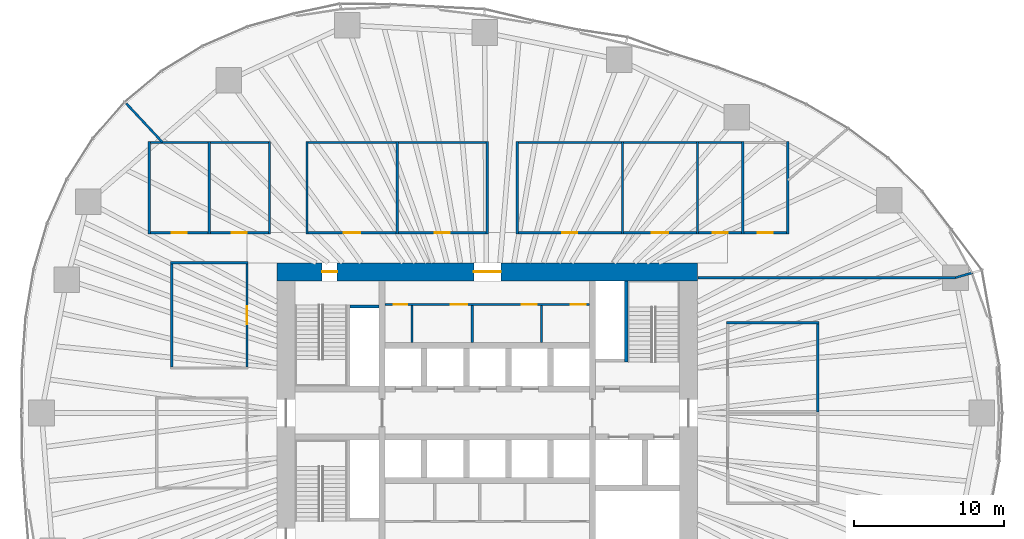
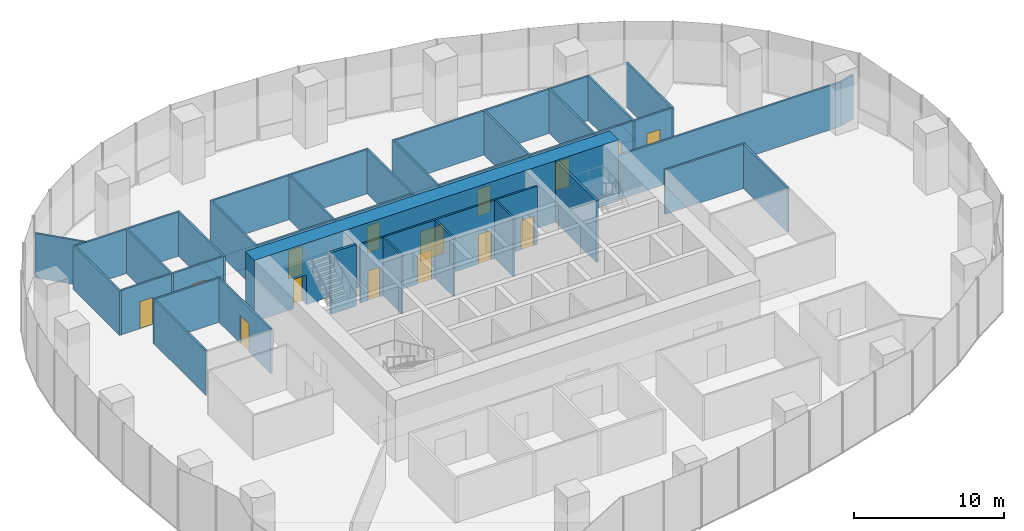
# One storey, part 11 of 19: 41 walls, 15 doors, 15 openings.
"""IFC4 building model written with IfcOpenShell, lengths in metres."""

from ifc_helpers import new_model, si_unit, direction, frame, frame_2d, origin, place, context, subcontext, project, spatial, rectangle, extrude, material, layer, layer_set, type_object, element, fill, save


model = new_model("IFC4")

# Units and contexts
model_context = context("Model", 3, precision=1e-05, world=origin(), true_north=direction((0.0, 1.0)))
body_context = subcontext(model_context, "Body", "Model", "MODEL_VIEW")
ifc_project = project(units=[si_unit("LENGTHUNIT", "METRE"), si_unit("AREAUNIT", "SQUARE_METRE"), si_unit("VOLUMEUNIT", "CUBIC_METRE"), si_unit("PLANEANGLEUNIT", "RADIAN"), si_unit("MASSUNIT", "GRAM", prefix="KILO")], contexts=[model_context])

# Site, building, storey
site_placement = place(None, origin())
site = spatial("IfcSite", under=ifc_project, at=site_placement, CompositionType="ELEMENT")
building_placement = place(site_placement, origin())
building = spatial("IfcBuilding", under=site, at=building_placement, Name="Ghaith Harvest Tower", CompositionType="ELEMENT")
storey_placement = place(building_placement, frame((0.0, 0.0, 70.0)))
storey = spatial("IfcBuildingStorey", under=building, at=storey_placement, Name="L14", CompositionType="ELEMENT", Elevation=70.0)

# Wall, openings, doors
ifc_material_1 = material(Name="Concrete blockwork, fair-faced", Category="masonry")
ifc_layer_1 = layer(ifc_material_1, 0.139892578125)
ifc_layer_set_1 = layer_set([ifc_layer_1], Name="CORE PARTITION 140")
wall_type_1 = type_object("IfcWallType", Name="CORE PARTITION 140", PredefinedType="PARTITIONING", material=ifc_layer_set_1)
wall_1_placement = place(storey_placement, frame((-6.800048828125, 7.22998046875, 0.0), z_axis=(0.0, 0.0, 1.0), x_axis=(1.0, 0.0, 0.0)))
wall_1 = element("IfcWall", 1, at=wall_1_placement, inside=storey, type_object=wall_type_1, Name="Core partition L14", PredefinedType="PARTITIONING", context=body_context, shape_type="SweptSolid", body=[
    extrude(rectangle(XDim=13.60009765625, YDim=0.139892578125, at=frame_2d((6.800048828125, 0.0))), origin(), (0.0, 0.0, 1.0), 4.75),
])
opening_1_placement = place(wall_1_placement, frame((0.580078125, 0.0, 0.0)))
opening_1 = element("IfcOpeningElement", 2, at=opening_1_placement, cuts=wall_1, Name="Opening 14-008", PredefinedType="OPENING", context=body_context, shape_type="SweptSolid", body=[
    extrude(rectangle(XDim=0.89990234375, YDim=2.39990234375, at=frame_2d((0.449951171875, 1.199951171875))), frame((0.0, 0.080078125, 0.0), z_axis=(0.0, -1.0, 0.0), x_axis=(1.0, 0.0, 0.0)), (0.0, 0.0, 1.0), 0.159912109375),
])
opening_2_placement = place(wall_1_placement, frame((4.3798828125, 0.0, 0.0)))
opening_2 = element("IfcOpeningElement", 3, at=opening_2_placement, cuts=wall_1, Name="Opening 14-009", PredefinedType="OPENING", context=body_context, shape_type="SweptSolid", body=[
    extrude(rectangle(XDim=1.10009765625, YDim=2.39990234375, at=frame_2d((0.550048828125, 1.199951171875))), frame((0.0, 0.080078125, 0.0), z_axis=(0.0, -1.0, 0.0), x_axis=(1.0, 0.0, 0.0)), (0.0, 0.0, 1.0), 0.159912109375),
])
opening_3_placement = place(wall_1_placement, frame((9.080078125, 0.0, 0.0)))
opening_3 = element("IfcOpeningElement", 4, at=opening_3_placement, cuts=wall_1, Name="Opening 14-010", PredefinedType="OPENING", context=body_context, shape_type="SweptSolid", body=[
    extrude(rectangle(XDim=1.0, YDim=2.39990234375, at=frame_2d((0.5, 1.199951171875))), frame((0.0, 0.080078125, 0.0), z_axis=(0.0, -1.0, 0.0), x_axis=(1.0, 0.0, 0.0)), (0.0, 0.0, 1.0), 0.159912109375),
])
opening_4_placement = place(wall_1_placement, frame((12.35009765625, 0.0, 0.0)))
opening_4 = element("IfcOpeningElement", 5, at=opening_4_placement, cuts=wall_1, Name="Opening 14-011", PredefinedType="OPENING", context=body_context, shape_type="SweptSolid", body=[
    extrude(rectangle(XDim=1.0, YDim=2.39990234375, at=frame_2d((0.5, 1.199951171875))), frame((0.0, 0.080078125, 0.0), z_axis=(0.0, -1.0, 0.0), x_axis=(1.0, 0.0, 0.0)), (0.0, 0.0, 1.0), 0.159912109375),
])
ifc_material_2 = material(Name="Steel fire door", Category="steel")
door_type_1 = type_object("IfcDoorType", Name="D3 FD90 1000x2400", OperationType="SINGLE_SWING_LEFT", PredefinedType="DOOR", material=ifc_material_2)
door_1_placement = place(opening_3_placement, origin())
door_1 = element("IfcDoor", 6, at=door_1_placement, inside=storey, type_object=door_type_1, Name="Male WC door", OperationType="SINGLE_SWING_RIGHT", OverallHeight=2.39990234375, OverallWidth=1.0, PredefinedType="DOOR", context=body_context, shape_type="SweptSolid", body=[
    extrude(rectangle(XDim=1.0, YDim=2.39990234375, at=frame_2d((0.5, 1.199951171875))), frame((0.0, 0.02490234375, 0.0), z_axis=(0.0, -1.0, 0.0), x_axis=(1.0, 0.0, 0.0)), (0.0, 0.0, 1.0), 0.050048828125),
])
fill(opening_3, door_1)
door_2_placement = place(opening_4_placement, origin())
door_2 = element("IfcDoor", 7, at=door_2_placement, inside=storey, type_object=door_type_1, Name="Female WC door", OperationType="SINGLE_SWING_RIGHT", OverallHeight=2.39990234375, OverallWidth=1.0, PredefinedType="DOOR", context=body_context, shape_type="SweptSolid", body=[
    extrude(rectangle(XDim=1.0, YDim=2.39990234375, at=frame_2d((0.5, 1.199951171875))), frame((0.0, 0.02490234375, 0.0), z_axis=(0.0, -1.0, 0.0), x_axis=(1.0, 0.0, 0.0)), (0.0, 0.0, 1.0), 0.050048828125),
])
fill(opening_4, door_2)
ifc_material_3 = material(Name="Steel fire door", Category="steel")
door_type_2 = type_object("IfcDoorType", Name="D5 FD90 900x2400", OperationType="SINGLE_SWING_LEFT", PredefinedType="DOOR", material=ifc_material_3)
door_3_placement = place(opening_1_placement, origin())
door_3 = element("IfcDoor", 8, at=door_3_placement, inside=storey, type_object=door_type_2, Name="Cleaner's store door", OperationType="SINGLE_SWING_LEFT", OverallHeight=2.39990234375, OverallWidth=0.89990234375, PredefinedType="DOOR", context=body_context, shape_type="SweptSolid", body=[
    extrude(rectangle(XDim=0.89990234375, YDim=2.39990234375, at=frame_2d((0.449951171875, 1.199951171875))), frame((0.0, 0.02490234375, 0.0), z_axis=(0.0, -1.0, 0.0), x_axis=(1.0, 0.0, 0.0)), (0.0, 0.0, 1.0), 0.050048828125),
])
fill(opening_1, door_3)
ifc_material_4 = material(Name="Steel fire door", Category="steel")
door_type_3 = type_object("IfcDoorType", Name="D9 FD90 1100x2400", OperationType="SINGLE_SWING_LEFT", PredefinedType="DOOR", material=ifc_material_4)
door_4_placement = place(opening_2_placement, origin())
door_4 = element("IfcDoor", 9, at=door_4_placement, inside=storey, type_object=door_type_3, Name="Accessible WC door", OperationType="SINGLE_SWING_LEFT", OverallHeight=2.39990234375, OverallWidth=1.10009765625, PredefinedType="DOOR", context=body_context, shape_type="SweptSolid", body=[
    extrude(rectangle(XDim=1.10009765625, YDim=2.39990234375, at=frame_2d((0.550048828125, 1.199951171875))), frame((0.0, 0.02490234375, 0.0), z_axis=(0.0, -1.0, 0.0), x_axis=(1.0, 0.0, 0.0)), (0.0, 0.0, 1.0), 0.050048828125),
])
fill(opening_2, door_4)

# Walls
for number, where, z_axis, x_axis, name in (
    (10, (-5.0, 4.699951171875, 0.0), (0.0, 0.0, 1.0), (0.0, 1.0, 0.0), "Core partition L14"),
    (11, (-1.0, 4.699951171875, 0.0), (0.0, 0.0, 1.0), (0.0, 1.0, 0.0), "Core partition L14"),
    (12, (3.60009765625, 4.699951171875, 0.0), (0.0, 0.0, 1.0), (0.0, 1.0, 0.0), "Core partition L14"),
):
    element("IfcWall", number, at=place(storey_placement, frame(where, z_axis=z_axis, x_axis=x_axis)), inside=storey, type_object=wall_type_1, Name=name, PredefinedType="PARTITIONING", context=body_context, shape_type="SweptSolid", body=[
        extrude(rectangle(XDim=2.4599609375, YDim=0.139892578125, at=frame_2d((1.22998046875, 0.0))), origin(), (0.0, 0.0, 1.0), 4.75),
    ])

# Wall, openings, doors
ifc_material_5 = material(Name="Concrete C70/85", Category="concrete")
ifc_layer_2 = layer(ifc_material_5, 1.199951171875)
ifc_layer_set_2 = layer_set([ifc_layer_2], Name="CORE WALL CW1200")
wall_type_2 = type_object("IfcWallType", Name="CORE WALL CW1200", PredefinedType="SHEAR", material=ifc_layer_set_2)
wall_2_placement = place(storey_placement, frame((14.0, 9.39990234375, 0.0), z_axis=(0.0, 0.0, 1.0), x_axis=(-1.0, 0.0, 0.0)))
wall_2 = element("IfcWall", 13, at=wall_2_placement, inside=storey, type_object=wall_type_2, Name="Core wall N L14", PredefinedType="SHEAR", context=body_context, shape_type="SweptSolid", body=[
    extrude(rectangle(XDim=28.0, YDim=1.199951171875, at=frame_2d((14.0, 0.0))), origin(), (0.0, 0.0, 1.0), 5.0),
])
opening_5_placement = place(wall_2_placement, frame((24.0, 0.0, 0.0)))
opening_5 = element("IfcOpeningElement", 14, at=opening_5_placement, cuts=wall_2, Name="Opening 14-005", PredefinedType="OPENING", context=body_context, shape_type="SweptSolid", body=[
    extrude(rectangle(XDim=1.0, YDim=2.39990234375, at=frame_2d((0.5, 1.199951171875))), frame((0.0, 0.60986328125, 0.0), z_axis=(0.0, -1.0, 0.0), x_axis=(1.0, 0.0, 0.0)), (0.0, 0.0, 1.0), 1.219970703125),
])
opening_6_placement = place(wall_2_placement, frame((13.10009765625, 0.0, 0.0)))
opening_6 = element("IfcOpeningElement", 15, at=opening_6_placement, cuts=wall_2, Name="Opening 14-016", PredefinedType="OPENING", context=body_context, shape_type="SweptSolid", body=[
    extrude(rectangle(XDim=1.800048828125, YDim=2.39990234375, at=frame_2d((0.89990234375, 1.199951171875))), frame((0.0, 0.60986328125, 0.0), z_axis=(0.0, -1.0, 0.0), x_axis=(1.0, 0.0, 0.0)), (0.0, 0.0, 1.0), 1.219970703125),
])
door_5_placement = place(opening_5_placement, origin())
door_5 = element("IfcDoor", 16, at=door_5_placement, inside=storey, type_object=door_type_1, Name="Stair ST1 door", OperationType="SINGLE_SWING_RIGHT", OverallHeight=2.39990234375, OverallWidth=1.0, PredefinedType="DOOR", context=body_context, shape_type="SweptSolid", body=[
    extrude(rectangle(XDim=1.0, YDim=2.39990234375, at=frame_2d((0.5, 1.199951171875))), frame((0.0, 0.02490234375, 0.0), z_axis=(0.0, -1.0, 0.0), x_axis=(1.0, 0.0, 0.0)), (0.0, 0.0, 1.0), 0.050048828125),
])
fill(opening_5, door_5)
ifc_material_6 = material(Name="Steel fire door", Category="steel")
door_type_4 = type_object("IfcDoorType", Name="D4 FD90 PAIR 1800x2400", OperationType="DOUBLE_DOOR_SINGLE_SWING", PredefinedType="DOOR", material=ifc_material_6)
door_6_placement = place(opening_6_placement, origin())
door_6 = element("IfcDoor", 17, at=door_6_placement, inside=storey, type_object=door_type_4, Name="Core service corridor doors", OperationType="DOUBLE_DOOR_SINGLE_SWING", OverallHeight=2.39990234375, OverallWidth=1.800048828125, PredefinedType="DOOR", context=body_context, shape_type="SweptSolid", body=[
    extrude(rectangle(XDim=1.800048828125, YDim=2.39990234375, at=frame_2d((0.89990234375, 1.199951171875))), frame((0.0, 0.02490234375, 0.0), z_axis=(0.0, -1.0, 0.0), x_axis=(1.0, 0.0, 0.0)), (0.0, 0.0, 1.0), 0.050048828125),
])
fill(opening_6, door_6)

# Walls
ifc_material_7 = material(Name="Gypsum board on steel studs", Category="steel")
ifc_layer_3 = layer(ifc_material_7, 0.14990234375)
ifc_layer_set_3 = layer_set([ifc_layer_3], Name="PARTITION 150")
wall_type_3 = type_object("IfcWallType", Name="PARTITION 150", PredefinedType="PARTITIONING", material=ifc_layer_set_3)
for number, where, z_axis, x_axis, name in (
    (18, (-12.0, 11.925048828125, 0.0), (0.0, 0.0, 1.0), (0.0, 1.0, 0.0), "Partition L14 row N1 cross wall 1"),
    (19, (-6.0, 11.925048828125, 0.0), (0.0, 0.0, 1.0), (0.0, 1.0, 0.0), "Partition L14 row N1 cross wall 2"),
    (20, (0.0, 11.925048828125, 0.0), (0.0, 0.0, 1.0), (0.0, 1.0, 0.0), "Partition L14 row N1 cross wall 3"),
):
    element("IfcWall", number, at=place(storey_placement, frame(where, z_axis=z_axis, x_axis=x_axis)), inside=storey, type_object=wall_type_3, Name=name, PredefinedType="PARTITIONING", context=body_context, shape_type="SweptSolid", body=[
        extrude(rectangle(XDim=6.14990234375, YDim=0.14990234375, at=frame_2d((3.074951171875, 0.0))), origin(), (0.0, 0.0, 1.0), 3.60009765625),
    ])

# Wall, opening, door
wall_3_placement = place(storey_placement, frame((-11.925048828125, 12.0, 0.0), z_axis=(0.0, 0.0, 1.0), x_axis=(1.0, 0.0, 0.0)))
wall_3 = element("IfcWall", 21, at=wall_3_placement, inside=storey, type_object=wall_type_3, Name="Partition L14-01", PredefinedType="PARTITIONING", context=body_context, shape_type="SweptSolid", body=[
    extrude(rectangle(XDim=5.85009765625, YDim=0.14990234375, at=frame_2d((2.925048828125, 0.0))), origin(), (0.0, 0.0, 1.0), 3.60009765625),
])
opening_7_placement = place(wall_3_placement, frame((2.375, 0.0, 0.0)))
opening_7 = element("IfcOpeningElement", 22, at=opening_7_placement, cuts=wall_3, Name="Opening 14-025", PredefinedType="OPENING", context=body_context, shape_type="SweptSolid", body=[
    extrude(rectangle(XDim=1.10009765625, YDim=2.300048828125, at=frame_2d((0.550048828125, 1.14990234375))), frame((0.0, 0.0849609375, 0.0), z_axis=(0.0, -1.0, 0.0), x_axis=(1.0, 0.0, 0.0)), (0.0, 0.0, 1.0), 0.169921875),
])
ifc_material_8 = material(Name="Timber-framed glazed door", Category="wood")
door_type_5 = type_object("IfcDoorType", Name="D12 GLAZED OFFICE 1100x2300", OperationType="SINGLE_SWING_LEFT", PredefinedType="DOOR", material=ifc_material_8)
door_7_placement = place(opening_7_placement, origin())
door_7 = element("IfcDoor", 23, at=door_7_placement, inside=storey, type_object=door_type_5, Name="Crop office door", OperationType="SINGLE_SWING_LEFT", OverallHeight=2.300048828125, OverallWidth=1.10009765625, PredefinedType="DOOR", context=body_context, shape_type="SweptSolid", body=[
    extrude(rectangle(XDim=1.10009765625, YDim=2.300048828125, at=frame_2d((0.550048828125, 1.14990234375))), frame((0.0, 0.02490234375, 0.0), z_axis=(0.0, -1.0, 0.0), x_axis=(1.0, 0.0, 0.0)), (0.0, 0.0, 1.0), 0.050048828125),
])
fill(opening_7, door_7)

# Wall
wall_4_placement = place(storey_placement, frame((-11.925048828125, 18.0, 0.0), z_axis=(0.0, 0.0, 1.0), x_axis=(1.0, 0.0, 0.0)))
element("IfcWall", 24, at=wall_4_placement, inside=storey, type_object=wall_type_3, Name="Partition L14-01", PredefinedType="PARTITIONING", context=body_context, shape_type="SweptSolid", body=[
    extrude(rectangle(XDim=5.85009765625, YDim=0.14990234375, at=frame_2d((2.925048828125, 0.0))), origin(), (0.0, 0.0, 1.0), 3.60009765625),
])

# Wall, opening, door
wall_5_placement = place(storey_placement, frame((-5.925048828125, 12.0, 0.0), z_axis=(0.0, 0.0, 1.0), x_axis=(1.0, 0.0, 0.0)))
wall_5 = element("IfcWall", 25, at=wall_5_placement, inside=storey, type_object=wall_type_3, Name="Partition L14-02", PredefinedType="PARTITIONING", context=body_context, shape_type="SweptSolid", body=[
    extrude(rectangle(XDim=5.85009765625, YDim=0.14990234375, at=frame_2d((2.925048828125, 0.0))), origin(), (0.0, 0.0, 1.0), 3.60009765625),
])
opening_8_placement = place(wall_5_placement, frame((2.425048828125, 0.0, 0.0)))
opening_8 = element("IfcOpeningElement", 26, at=opening_8_placement, cuts=wall_5, Name="Opening 14-026", PredefinedType="OPENING", context=body_context, shape_type="SweptSolid", body=[
    extrude(rectangle(XDim=1.0, YDim=2.199951171875, at=frame_2d((0.5, 1.10009765625))), frame((0.0, 0.0849609375, 0.0), z_axis=(0.0, -1.0, 0.0), x_axis=(1.0, 0.0, 0.0)), (0.0, 0.0, 1.0), 0.169921875),
])
ifc_material_9 = material(Name="Timber door", Category="wood")
door_type_6 = type_object("IfcDoorType", Name="D1 SINGLE 1000x2200", OperationType="SINGLE_SWING_LEFT", PredefinedType="DOOR", material=ifc_material_9)
door_8_placement = place(opening_8_placement, origin())
door_8 = element("IfcDoor", 27, at=door_8_placement, inside=storey, type_object=door_type_6, Name="Pollination room door", OperationType="SINGLE_SWING_LEFT", OverallHeight=2.199951171875, OverallWidth=1.0, PredefinedType="DOOR", context=body_context, shape_type="SweptSolid", body=[
    extrude(rectangle(XDim=1.0, YDim=2.199951171875, at=frame_2d((0.5, 1.10009765625))), frame((0.0, 0.02490234375, 0.0), z_axis=(0.0, -1.0, 0.0), x_axis=(1.0, 0.0, 0.0)), (0.0, 0.0, 1.0), 0.050048828125),
])
fill(opening_8, door_8)

# Walls
wall_6_placement = place(storey_placement, frame((-5.925048828125, 18.0, 0.0), z_axis=(0.0, 0.0, 1.0), x_axis=(1.0, 0.0, 0.0)))
element("IfcWall", 28, at=wall_6_placement, inside=storey, type_object=wall_type_3, Name="Partition L14-02", PredefinedType="PARTITIONING", context=body_context, shape_type="SweptSolid", body=[
    extrude(rectangle(XDim=5.85009765625, YDim=0.14990234375, at=frame_2d((2.925048828125, 0.0))), origin(), (0.0, 0.0, 1.0), 3.60009765625),
])
wall_7_placement = place(storey_placement, frame((15.925048828125, 6.0, 0.0), z_axis=(0.0, 0.0, 1.0), x_axis=(1.0, 0.0, 0.0)))
element("IfcWall", 29, at=wall_7_placement, inside=storey, type_object=wall_type_3, Name="Partition L14 row E5 cross wall 3", PredefinedType="PARTITIONING", context=body_context, shape_type="SweptSolid", body=[
    extrude(rectangle(XDim=6.14990234375, YDim=0.14990234375, at=frame_2d((3.074951171875, 0.0))), origin(), (0.0, 0.0, 1.0), 3.60009765625),
])
wall_8_placement = place(storey_placement, frame((22.0, 0.074951171875, 0.0), z_axis=(0.0, 0.0, 1.0), x_axis=(0.0, 1.0, 0.0)))
element("IfcWall", 30, at=wall_8_placement, inside=storey, type_object=wall_type_3, Name="Partition L14-09", PredefinedType="PARTITIONING", context=body_context, shape_type="SweptSolid", body=[
    extrude(rectangle(XDim=5.85009765625, YDim=0.14990234375, at=frame_2d((2.925048828125, 0.0))), origin(), (0.0, 0.0, 1.0), 3.60009765625),
])
for number, where, z_axis, x_axis, name in (
    (31, (2.0, 11.925048828125, 0.0), (0.0, 0.0, 1.0), (0.0, 1.0, 0.0), "Partition L14 row N6 cross wall 1"),
    (32, (9.0, 11.925048828125, 0.0), (0.0, 0.0, 1.0), (0.0, 1.0, 0.0), "Partition L14 row N6 cross wall 2"),
    (33, (14.0, 11.925048828125, 0.0), (0.0, 0.0, 1.0), (0.0, 1.0, 0.0), "Partition L14 row N6 cross wall 3"),
    (34, (17.0, 11.925048828125, 0.0), (0.0, 0.0, 1.0), (0.0, 1.0, 0.0), "Partition L14 row N6 cross wall 4"),
    (35, (20.0, 11.925048828125, 0.0), (0.0, 0.0, 1.0), (0.0, 1.0, 0.0), "Partition L14 row N6 cross wall 5"),
):
    element("IfcWall", number, at=place(storey_placement, frame(where, z_axis=z_axis, x_axis=x_axis)), inside=storey, type_object=wall_type_3, Name=name, PredefinedType="PARTITIONING", context=body_context, shape_type="SweptSolid", body=[
        extrude(rectangle(XDim=6.14990234375, YDim=0.14990234375, at=frame_2d((3.074951171875, 0.0))), origin(), (0.0, 0.0, 1.0), 3.60009765625),
    ])

# Wall, opening, door
wall_9_placement = place(storey_placement, frame((2.074951171875, 12.0, 0.0), z_axis=(0.0, 0.0, 1.0), x_axis=(1.0, 0.0, 0.0)))
wall_9 = element("IfcWall", 36, at=wall_9_placement, inside=storey, type_object=wall_type_3, Name="Partition L14-10", PredefinedType="PARTITIONING", context=body_context, shape_type="SweptSolid", body=[
    extrude(rectangle(XDim=6.85009765625, YDim=0.14990234375, at=frame_2d((3.425048828125, 0.0))), origin(), (0.0, 0.0, 1.0), 3.60009765625),
])
opening_9_placement = place(wall_9_placement, frame((2.925048828125, 0.0, 0.0)))
opening_9 = element("IfcOpeningElement", 37, at=opening_9_placement, cuts=wall_9, Name="Opening 14-034", PredefinedType="OPENING", context=body_context, shape_type="SweptSolid", body=[
    extrude(rectangle(XDim=1.0, YDim=2.199951171875, at=frame_2d((0.5, 1.10009765625))), frame((0.0, 0.0849609375, 0.0), z_axis=(0.0, -1.0, 0.0), x_axis=(1.0, 0.0, 0.0)), (0.0, 0.0, 1.0), 0.169921875),
])
door_9_placement = place(opening_9_placement, origin())
door_9 = element("IfcDoor", 38, at=door_9_placement, inside=storey, type_object=door_type_6, Name="Seedling room door", OperationType="SINGLE_SWING_LEFT", OverallHeight=2.199951171875, OverallWidth=1.0, PredefinedType="DOOR", context=body_context, shape_type="SweptSolid", body=[
    extrude(rectangle(XDim=1.0, YDim=2.199951171875, at=frame_2d((0.5, 1.10009765625))), frame((0.0, 0.02490234375, 0.0), z_axis=(0.0, -1.0, 0.0), x_axis=(1.0, 0.0, 0.0)), (0.0, 0.0, 1.0), 0.050048828125),
])
fill(opening_9, door_9)

# Wall
wall_10_placement = place(storey_placement, frame((2.074951171875, 18.0, 0.0), z_axis=(0.0, 0.0, 1.0), x_axis=(1.0, 0.0, 0.0)))
element("IfcWall", 39, at=wall_10_placement, inside=storey, type_object=wall_type_3, Name="Partition L14-10", PredefinedType="PARTITIONING", context=body_context, shape_type="SweptSolid", body=[
    extrude(rectangle(XDim=6.85009765625, YDim=0.14990234375, at=frame_2d((3.425048828125, 0.0))), origin(), (0.0, 0.0, 1.0), 3.60009765625),
])

# Wall, opening, door
wall_11_placement = place(storey_placement, frame((9.074951171875, 12.0, 0.0), z_axis=(0.0, 0.0, 1.0), x_axis=(1.0, 0.0, 0.0)))
wall_11 = element("IfcWall", 40, at=wall_11_placement, inside=storey, type_object=wall_type_3, Name="Partition L14-11", PredefinedType="PARTITIONING", context=body_context, shape_type="SweptSolid", body=[
    extrude(rectangle(XDim=4.85009765625, YDim=0.14990234375, at=frame_2d((2.425048828125, 0.0))), origin(), (0.0, 0.0, 1.0), 3.60009765625),
])
opening_10_placement = place(wall_11_placement, frame((1.875, 0.0, 0.0)))
opening_10 = element("IfcOpeningElement", 41, at=opening_10_placement, cuts=wall_11, Name="Opening 14-035", PredefinedType="OPENING", context=body_context, shape_type="SweptSolid", body=[
    extrude(rectangle(XDim=1.10009765625, YDim=2.300048828125, at=frame_2d((0.550048828125, 1.14990234375))), frame((0.0, 0.0849609375, 0.0), z_axis=(0.0, -1.0, 0.0), x_axis=(1.0, 0.0, 0.0)), (0.0, 0.0, 1.0), 0.169921875),
])
door_10_placement = place(opening_10_placement, origin())
door_10 = element("IfcDoor", 42, at=door_10_placement, inside=storey, type_object=door_type_5, Name="Growing office door", OperationType="SINGLE_SWING_LEFT", OverallHeight=2.300048828125, OverallWidth=1.10009765625, PredefinedType="DOOR", context=body_context, shape_type="SweptSolid", body=[
    extrude(rectangle(XDim=1.10009765625, YDim=2.300048828125, at=frame_2d((0.550048828125, 1.14990234375))), frame((0.0, 0.02490234375, 0.0), z_axis=(0.0, -1.0, 0.0), x_axis=(1.0, 0.0, 0.0)), (0.0, 0.0, 1.0), 0.050048828125),
])
fill(opening_10, door_10)

# Wall
wall_12_placement = place(storey_placement, frame((9.074951171875, 18.0, 0.0), z_axis=(0.0, 0.0, 1.0), x_axis=(1.0, 0.0, 0.0)))
element("IfcWall", 43, at=wall_12_placement, inside=storey, type_object=wall_type_3, Name="Partition L14-11", PredefinedType="PARTITIONING", context=body_context, shape_type="SweptSolid", body=[
    extrude(rectangle(XDim=4.85009765625, YDim=0.14990234375, at=frame_2d((2.425048828125, 0.0))), origin(), (0.0, 0.0, 1.0), 3.60009765625),
])

# Wall, opening, door
wall_13_placement = place(storey_placement, frame((14.074951171875, 12.0, 0.0), z_axis=(0.0, 0.0, 1.0), x_axis=(1.0, 0.0, 0.0)))
wall_13 = element("IfcWall", 44, at=wall_13_placement, inside=storey, type_object=wall_type_3, Name="Partition L14-12", PredefinedType="PARTITIONING", context=body_context, shape_type="SweptSolid", body=[
    extrude(rectangle(XDim=2.85009765625, YDim=0.14990234375, at=frame_2d((1.425048828125, 0.0))), origin(), (0.0, 0.0, 1.0), 3.60009765625),
])
opening_11_placement = place(wall_13_placement, frame((0.925048828125, 0.0, 0.0)))
opening_11 = element("IfcOpeningElement", 45, at=opening_11_placement, cuts=wall_13, Name="Opening 14-036", PredefinedType="OPENING", context=body_context, shape_type="SweptSolid", body=[
    extrude(rectangle(XDim=1.0, YDim=2.199951171875, at=frame_2d((0.5, 1.10009765625))), frame((0.0, 0.0849609375, 0.0), z_axis=(0.0, -1.0, 0.0), x_axis=(1.0, 0.0, 0.0)), (0.0, 0.0, 1.0), 0.169921875),
])
door_11_placement = place(opening_11_placement, origin())
door_11 = element("IfcDoor", 46, at=door_11_placement, inside=storey, type_object=door_type_6, Name="Male staff changing room door", OperationType="SINGLE_SWING_LEFT", OverallHeight=2.199951171875, OverallWidth=1.0, PredefinedType="DOOR", context=body_context, shape_type="SweptSolid", body=[
    extrude(rectangle(XDim=1.0, YDim=2.199951171875, at=frame_2d((0.5, 1.10009765625))), frame((0.0, 0.02490234375, 0.0), z_axis=(0.0, -1.0, 0.0), x_axis=(1.0, 0.0, 0.0)), (0.0, 0.0, 1.0), 0.050048828125),
])
fill(opening_11, door_11)

# Wall
wall_14_placement = place(storey_placement, frame((14.074951171875, 18.0, 0.0), z_axis=(0.0, 0.0, 1.0), x_axis=(1.0, 0.0, 0.0)))
element("IfcWall", 47, at=wall_14_placement, inside=storey, type_object=wall_type_3, Name="Partition L14-12", PredefinedType="PARTITIONING", context=body_context, shape_type="SweptSolid", body=[
    extrude(rectangle(XDim=2.85009765625, YDim=0.14990234375, at=frame_2d((1.425048828125, 0.0))), origin(), (0.0, 0.0, 1.0), 3.60009765625),
])

# Wall, opening, door
wall_15_placement = place(storey_placement, frame((17.074951171875, 12.0, 0.0), z_axis=(0.0, 0.0, 1.0), x_axis=(1.0, 0.0, 0.0)))
wall_15 = element("IfcWall", 48, at=wall_15_placement, inside=storey, type_object=wall_type_3, Name="Partition L14-13", PredefinedType="PARTITIONING", context=body_context, shape_type="SweptSolid", body=[
    extrude(rectangle(XDim=2.85009765625, YDim=0.14990234375, at=frame_2d((1.425048828125, 0.0))), origin(), (0.0, 0.0, 1.0), 3.60009765625),
])
opening_12_placement = place(wall_15_placement, frame((0.925048828125, 0.0, 0.0)))
opening_12 = element("IfcOpeningElement", 49, at=opening_12_placement, cuts=wall_15, Name="Opening 14-037", PredefinedType="OPENING", context=body_context, shape_type="SweptSolid", body=[
    extrude(rectangle(XDim=1.0, YDim=2.199951171875, at=frame_2d((0.5, 1.10009765625))), frame((0.0, 0.0849609375, 0.0), z_axis=(0.0, -1.0, 0.0), x_axis=(1.0, 0.0, 0.0)), (0.0, 0.0, 1.0), 0.169921875),
])
door_12_placement = place(opening_12_placement, origin())
door_12 = element("IfcDoor", 50, at=door_12_placement, inside=storey, type_object=door_type_6, Name="Female staff changing room door", OperationType="SINGLE_SWING_LEFT", OverallHeight=2.199951171875, OverallWidth=1.0, PredefinedType="DOOR", context=body_context, shape_type="SweptSolid", body=[
    extrude(rectangle(XDim=1.0, YDim=2.199951171875, at=frame_2d((0.5, 1.10009765625))), frame((0.0, 0.02490234375, 0.0), z_axis=(0.0, -1.0, 0.0), x_axis=(1.0, 0.0, 0.0)), (0.0, 0.0, 1.0), 0.050048828125),
])
fill(opening_12, door_12)

# Walls
for number, where, z_axis, x_axis, name in (
    (51, (-22.5, 11.925048828125, 0.0), (0.0, 0.0, 1.0), (0.0, 1.0, 0.0), "Partition L14 row N7 cross wall 1"),
    (52, (-18.5, 11.925048828125, 0.0), (0.0, 0.0, 1.0), (0.0, 1.0, 0.0), "Partition L14 row N7 cross wall 2"),
    (53, (-14.5, 11.925048828125, 0.0), (0.0, 0.0, 1.0), (0.0, 1.0, 0.0), "Partition L14 row N7 cross wall 3"),
):
    element("IfcWall", number, at=place(storey_placement, frame(where, z_axis=z_axis, x_axis=x_axis)), inside=storey, type_object=wall_type_3, Name=name, PredefinedType="PARTITIONING", context=body_context, shape_type="SweptSolid", body=[
        extrude(rectangle(XDim=6.14990234375, YDim=0.14990234375, at=frame_2d((3.074951171875, 0.0))), origin(), (0.0, 0.0, 1.0), 3.60009765625),
    ])

# Wall, opening, door
wall_16_placement = place(storey_placement, frame((-22.425048828125, 12.0, 0.0), z_axis=(0.0, 0.0, 1.0), x_axis=(1.0, 0.0, 0.0)))
wall_16 = element("IfcWall", 54, at=wall_16_placement, inside=storey, type_object=wall_type_3, Name="Partition L14-14", PredefinedType="PARTITIONING", context=body_context, shape_type="SweptSolid", body=[
    extrude(rectangle(XDim=3.85009765625, YDim=0.14990234375, at=frame_2d((1.925048828125, 0.0))), origin(), (0.0, 0.0, 1.0), 3.60009765625),
])
opening_13_placement = place(wall_16_placement, frame((1.425048828125, 0.0, 0.0)))
opening_13 = element("IfcOpeningElement", 55, at=opening_13_placement, cuts=wall_16, Name="Opening 14-038", PredefinedType="OPENING", context=body_context, shape_type="SweptSolid", body=[
    extrude(rectangle(XDim=1.0, YDim=2.199951171875, at=frame_2d((0.5, 1.10009765625))), frame((0.0, 0.0849609375, 0.0), z_axis=(0.0, -1.0, 0.0), x_axis=(1.0, 0.0, 0.0)), (0.0, 0.0, 1.0), 0.169921875),
])
door_13_placement = place(opening_13_placement, origin())
door_13 = element("IfcDoor", 56, at=door_13_placement, inside=storey, type_object=door_type_6, Name="Store door", OperationType="SINGLE_SWING_LEFT", OverallHeight=2.199951171875, OverallWidth=1.0, PredefinedType="DOOR", context=body_context, shape_type="SweptSolid", body=[
    extrude(rectangle(XDim=1.0, YDim=2.199951171875, at=frame_2d((0.5, 1.10009765625))), frame((0.0, 0.02490234375, 0.0), z_axis=(0.0, -1.0, 0.0), x_axis=(1.0, 0.0, 0.0)), (0.0, 0.0, 1.0), 0.050048828125),
])
fill(opening_13, door_13)

# Wall
wall_17_placement = place(storey_placement, frame((-22.425048828125, 18.0, 0.0), z_axis=(0.0, 0.0, 1.0), x_axis=(1.0, 0.0, 0.0)))
element("IfcWall", 57, at=wall_17_placement, inside=storey, type_object=wall_type_3, Name="Partition L14-14", PredefinedType="PARTITIONING", context=body_context, shape_type="SweptSolid", body=[
    extrude(rectangle(XDim=3.85009765625, YDim=0.14990234375, at=frame_2d((1.925048828125, 0.0))), origin(), (0.0, 0.0, 1.0), 3.60009765625),
])

# Wall, opening, door
wall_18_placement = place(storey_placement, frame((-18.425048828125, 12.0, 0.0), z_axis=(0.0, 0.0, 1.0), x_axis=(1.0, 0.0, 0.0)))
wall_18 = element("IfcWall", 58, at=wall_18_placement, inside=storey, type_object=wall_type_3, Name="Partition L14-15", PredefinedType="PARTITIONING", context=body_context, shape_type="SweptSolid", body=[
    extrude(rectangle(XDim=3.85009765625, YDim=0.14990234375, at=frame_2d((1.925048828125, 0.0))), origin(), (0.0, 0.0, 1.0), 3.60009765625),
])
opening_14_placement = place(wall_18_placement, frame((1.425048828125, 0.0, 0.0)))
opening_14 = element("IfcOpeningElement", 59, at=opening_14_placement, cuts=wall_18, Name="Opening 14-039", PredefinedType="OPENING", context=body_context, shape_type="SweptSolid", body=[
    extrude(rectangle(XDim=1.0, YDim=2.199951171875, at=frame_2d((0.5, 1.10009765625))), frame((0.0, 0.0849609375, 0.0), z_axis=(0.0, -1.0, 0.0), x_axis=(1.0, 0.0, 0.0)), (0.0, 0.0, 1.0), 0.169921875),
])
door_14_placement = place(opening_14_placement, origin())
door_14 = element("IfcDoor", 60, at=door_14_placement, inside=storey, type_object=door_type_6, Name="Pest scouting room door", OperationType="SINGLE_SWING_LEFT", OverallHeight=2.199951171875, OverallWidth=1.0, PredefinedType="DOOR", context=body_context, shape_type="SweptSolid", body=[
    extrude(rectangle(XDim=1.0, YDim=2.199951171875, at=frame_2d((0.5, 1.10009765625))), frame((0.0, 0.02490234375, 0.0), z_axis=(0.0, -1.0, 0.0), x_axis=(1.0, 0.0, 0.0)), (0.0, 0.0, 1.0), 0.050048828125),
])
fill(opening_14, door_14)

# Walls
wall_19_placement = place(storey_placement, frame((-18.425048828125, 18.0, 0.0), z_axis=(0.0, 0.0, 1.0), x_axis=(1.0, 0.0, 0.0)))
element("IfcWall", 61, at=wall_19_placement, inside=storey, type_object=wall_type_3, Name="Partition L14-15", PredefinedType="PARTITIONING", context=body_context, shape_type="SweptSolid", body=[
    extrude(rectangle(XDim=3.85009765625, YDim=0.14990234375, at=frame_2d((1.925048828125, 0.0))), origin(), (0.0, 0.0, 1.0), 3.60009765625),
])
wall_20_placement = place(storey_placement, frame((-15.925048828125, 10.0, 0.0), z_axis=(0.0, 0.0, 1.0), x_axis=(-1.0, 0.0, 0.0)))
element("IfcWall", 62, at=wall_20_placement, inside=storey, type_object=wall_type_3, Name="Partition L14 row W9 cross wall 2", PredefinedType="PARTITIONING", context=body_context, shape_type="SweptSolid", body=[
    extrude(rectangle(XDim=5.14990234375, YDim=0.14990234375, at=frame_2d((2.574951171875, 0.0))), origin(), (0.0, 0.0, 1.0), 3.60009765625),
])

# Wall, opening, door
wall_21_placement = place(storey_placement, frame((-16.0, 3.074951171875, 0.0), z_axis=(0.0, 0.0, 1.0), x_axis=(0.0, 1.0, 0.0)))
wall_21 = element("IfcWall", 63, at=wall_21_placement, inside=storey, type_object=wall_type_3, Name="Partition L14-17", PredefinedType="PARTITIONING", context=body_context, shape_type="SweptSolid", body=[
    extrude(rectangle(XDim=6.85009765625, YDim=0.14990234375, at=frame_2d((3.425048828125, 0.0))), origin(), (0.0, 0.0, 1.0), 3.60009765625),
])
opening_15_placement = place(wall_21_placement, frame((2.824951171875, 0.0, 0.0)))
opening_15 = element("IfcOpeningElement", 64, at=opening_15_placement, cuts=wall_21, Name="Opening 14-041", PredefinedType="OPENING", context=body_context, shape_type="SweptSolid", body=[
    extrude(rectangle(XDim=1.199951171875, YDim=2.300048828125, at=frame_2d((0.60009765625, 1.14990234375))), frame((0.0, 0.0849609375, 0.0), z_axis=(0.0, -1.0, 0.0), x_axis=(1.0, 0.0, 0.0)), (0.0, 0.0, 1.0), 0.169921875),
])
ifc_material_10 = material(Name="Timber door with vision panel", Category="wood")
door_type_7 = type_object("IfcDoorType", Name="D15 LABORATORY 1200x2300", OperationType="SINGLE_SWING_LEFT", PredefinedType="DOOR", material=ifc_material_10)
door_15_placement = place(opening_15_placement, origin())
door_15 = element("IfcDoor", 65, at=door_15_placement, inside=storey, type_object=door_type_7, Name="Quality laboratory door", OperationType="SINGLE_SWING_LEFT", OverallHeight=2.300048828125, OverallWidth=1.199951171875, PredefinedType="DOOR", context=body_context, shape_type="SweptSolid", body=[
    extrude(rectangle(XDim=1.199951171875, YDim=2.300048828125, at=frame_2d((0.60009765625, 1.14990234375))), frame((0.0, 0.02490234375, 0.0), z_axis=(0.0, -1.0, 0.0), x_axis=(1.0, 0.0, 0.0)), (0.0, 0.0, 1.0), 0.050048828125),
])
fill(opening_15, door_15)

# Walls
wall_22_placement = place(storey_placement, frame((-21.0, 3.074951171875, 0.0), z_axis=(0.0, 0.0, 1.0), x_axis=(0.0, 1.0, 0.0)))
element("IfcWall", 66, at=wall_22_placement, inside=storey, type_object=wall_type_3, Name="Partition L14-17", PredefinedType="PARTITIONING", context=body_context, shape_type="SweptSolid", body=[
    extrude(rectangle(XDim=6.85009765625, YDim=0.14990234375, at=frame_2d((3.425048828125, 0.0))), origin(), (0.0, 0.0, 1.0), 3.60009765625),
])
wall_23_placement = place(storey_placement, frame((-21.621826171875, 18.02001953125, 0.0), z_axis=(0.0, 0.0, 1.0), x_axis=(-0.682522451791, 0.730864626864, 0.0)))
element("IfcWall", 67, at=wall_23_placement, inside=storey, type_object=wall_type_3, Name="Partition L14 zone division", PredefinedType="PARTITIONING", context=body_context, shape_type="SweptSolid", body=[
    extrude(rectangle(XDim=3.53515625, YDim=0.14990234375, at=frame_2d((1.767578125, 0.0))), origin(), (0.0, 0.0, 1.0), 3.60009765625),
])
wall_24_placement = place(storey_placement, frame((14.02001953125, 9.008056640625, 0.0), z_axis=(0.0, 0.0, 1.0), x_axis=(1.0, 0.0, 0.0)))
element("IfcWall", 68, at=wall_24_placement, inside=storey, type_object=wall_type_3, Name="Partition L14 zone division", PredefinedType="PARTITIONING", context=body_context, shape_type="SweptSolid", body=[
    extrude(rectangle(XDim=17.14599609375, YDim=0.14990234375, at=frame_2d((8.572998046875, 0.0))), origin(), (0.0, 0.0, 1.0), 3.60009765625),
])
wall_25_placement = place(storey_placement, frame((31.166015625, 9.008056640625, 0.0), z_axis=(0.0, 0.0, 1.0), x_axis=(0.960777970385, 0.277318754547, 0.0)))
element("IfcWall", 69, at=wall_25_placement, inside=storey, type_object=wall_type_3, Name="Partition L14 zone division", PredefinedType="PARTITIONING", context=body_context, shape_type="SweptSolid", body=[
    extrude(rectangle(XDim=1.1787109375, YDim=0.14990234375, at=frame_2d((0.58935546875, 0.0))), origin(), (0.0, 0.0, 1.0), 3.60009765625),
])
ifc_material_11 = material(Name="Concrete C40/50", Category="concrete")
ifc_layer_4 = layer(ifc_material_11, 0.199951171875)
ifc_layer_set_4 = layer_set([ifc_layer_4], Name="STAIR SPINE WALL RC200")
wall_type_4 = type_object("IfcWallType", Name="STAIR SPINE WALL RC200", PredefinedType="SOLIDWALL", material=ifc_layer_set_4)
wall_26_placement = place(storey_placement, frame((-9.14990234375, 7.10009765625, 0.0), z_axis=(0.0, 0.0, 1.0), x_axis=(1.0, 0.0, 0.0)))
element("IfcWall", 70, at=wall_26_placement, inside=storey, type_object=wall_type_4, Name="Stair ST1 spine wall return L14", PredefinedType="SOLIDWALL", context=body_context, shape_type="SweptSolid", body=[
    extrude(rectangle(XDim=1.949951171875, YDim=0.199951171875, at=frame_2d((0.97509765625, 0.0))), origin(), (0.0, 0.0, 1.0), 5.0),
])
wall_27_placement = place(storey_placement, frame((9.25, 3.39990234375, 0.0), z_axis=(0.0, 0.0, 1.0), x_axis=(0.0, 1.0, 0.0)))
element("IfcWall", 71, at=wall_27_placement, inside=storey, type_object=wall_type_4, Name="Stair ST2 spine wall L14", PredefinedType="SOLIDWALL", context=body_context, shape_type="SweptSolid", body=[
    extrude(rectangle(XDim=5.400146484375, YDim=0.199951171875, at=frame_2d((2.7001953125, 0.0))), origin(), (0.0, 0.0, 1.0), 5.0),
])

save(model, "model.ifc")
